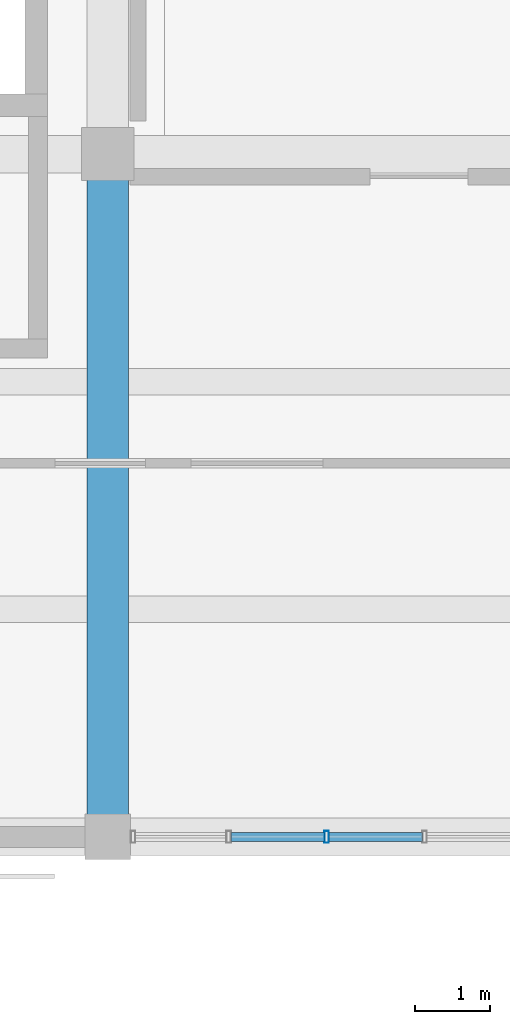
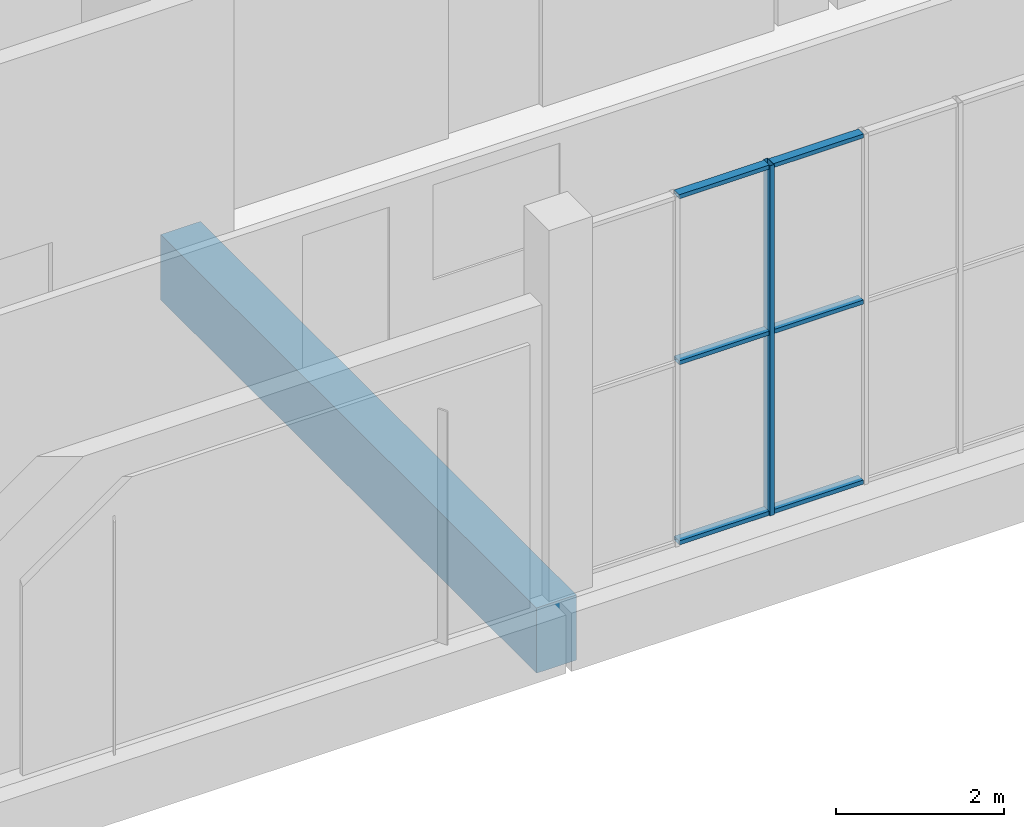
# One storey, part 70 of 132: 7 members, 1 beam, 1 element without a shape of its own.
"""IFC4 building model written with IfcOpenShell, lengths in metres."""

from ifc_helpers import new_model, si_unit, direction, frame, origin, origin_2d, place, context, subcontext, project, spatial, rectangle, hollow_rectangle, extrude, material, material_profile, profile_set, type_object, element, aggregate, save


model = new_model("IFC4")

# Units and contexts
model_context = context("Model", 3, precision=1e-05, world=origin(), true_north=direction((0.0, 1.0)))
body_context = subcontext(model_context, "Body", "Model", "MODEL_VIEW")
ifc_project = project(units=[si_unit("LENGTHUNIT", "METRE"), si_unit("AREAUNIT", "SQUARE_METRE"), si_unit("VOLUMEUNIT", "CUBIC_METRE"), si_unit("PLANEANGLEUNIT", "RADIAN"), si_unit("MASSUNIT", "GRAM", prefix="KILO")], contexts=[model_context])

# Site, building, storey
site_placement = place(None, origin())
site = spatial("IfcSite", under=ifc_project, at=site_placement, CompositionType="ELEMENT")
building_placement = place(site_placement, origin())
building = spatial("IfcBuilding", under=site, at=building_placement, Name="Khurvash Pelagic Aquarium", CompositionType="ELEMENT")
storey_placement = place(building_placement, frame((0.0, 0.0, 5.39990234375)))
storey = spatial("IfcBuildingStorey", under=building, at=storey_placement, Name="L01", CompositionType="ELEMENT", Elevation=5.39990234375)

# Beam
ifc_material_1 = material(Name="Concrete C40/50", Category="concrete")
ifc_material_profile_1 = material_profile(ifc_material_1, rectangle(XDim=0.550048828125, YDim=0.949951171875, at=origin_2d()), Name="RC550X950")
ifc_profile_set_1 = profile_set([ifc_material_profile_1], Name="Concrete C40/50")
beam_type = type_object("IfcBeamType", Name="BM-02", PredefinedType="BEAM", material=ifc_profile_set_1)
beam_placement = place(storey_placement, frame((75.60009765625, 84.090087890625, -0.784912109375), z_axis=(0.0, 1.0, 0.0), x_axis=(-1.0, 0.0, 0.0)))
element("IfcBeam", 1, at=beam_placement, inside=storey, type_object=beam_type, Name="L01 Primary Girder BM-02 00400", PredefinedType="BEAM", context=body_context, shape_type="SweptSolid", body=[
    extrude(rectangle(XDim=0.550048828125, YDim=0.949951171875, at=origin_2d()), origin(), (0.0, 0.0, 1.0), 8.969970703125),
])

# Curtain wall, members
ifc_material_2 = material(Name="Anodised aluminium and low-E laminated glass", Category="aluminium")
curtain_wall_type = type_object("IfcCurtainWallType", Name="CW-05", PredefinedType="USERDEFINED", material=ifc_material_2)
curtain_wall_placement = place(storey_placement, origin())
curtain_wall = element("IfcCurtainWall", 2, at=curtain_wall_placement, inside=storey, type_object=curtain_wall_type, Name="L01 Facade Unitised Curtain Wall CW-05 0138", ObjectType="UNITISED CURTAIN WALL", PredefinedType="USERDEFINED")
ifc_material_3 = material(Name="Extruded aluminium AW-6063-T6", Category="aluminium")
ifc_material_profile_2 = material_profile(ifc_material_3, hollow_rectangle(XDim=0.06005859375, YDim=0.159912109375, WallThickness=0.00390625, at=origin_2d()), Name="CWM60X160X4")
ifc_profile_set_2 = profile_set([ifc_material_profile_2], Name="Extruded aluminium AW-6063-T6")
member_type_1 = type_object("IfcMemberType", Name="CM-02", PredefinedType="MULLION", material=ifc_profile_set_2)
member_1_placement = place(storey_placement, frame((78.501708984375, 84.050048828125, 0.0), z_axis=(0.0, 0.0, 1.0), x_axis=(1.0, 0.0, 0.0)))
member_1 = element("IfcMember", 3, at=member_1_placement, type_object=member_type_1, Name="CW-05 mullion 3", PredefinedType="MULLION", context=body_context, shape_type="SweptSolid", body=[
    extrude(hollow_rectangle(XDim=0.06005859375, YDim=0.159912109375, WallThickness=0.00390625, at=origin_2d()), origin(), (0.0, 0.0, 1.0), 5.10009765625),
])
ifc_material_profile_3 = material_profile(ifc_material_3, hollow_rectangle(XDim=0.1201171875, YDim=0.06005859375, WallThickness=0.00390625, at=origin_2d()), Name="CWT120X60X4")
ifc_profile_set_3 = profile_set([ifc_material_profile_3], Name="Extruded aluminium AW-6063-T6")
member_type_2 = type_object("IfcMemberType", Name="CT-02", PredefinedType="USERDEFINED", material=ifc_profile_set_3)
member_2_placement = place(storey_placement, frame((77.2333984375, 84.050048828125, 0.030029296875), z_axis=(1.0, 0.0, 0.0), x_axis=(0.0, 1.0, 0.0)))
member_2 = element("IfcMember", 4, at=member_2_placement, type_object=member_type_2, Name="CW-05 transom 2.1", ObjectType="TRANSOM", PredefinedType="USERDEFINED", context=body_context, shape_type="SweptSolid", body=[
    extrude(hollow_rectangle(XDim=0.1201171875, YDim=0.06005859375, WallThickness=0.00390625, at=origin_2d()), origin(), (0.0, 0.0, 1.0), 1.23828125),
])
member_3_placement = place(storey_placement, frame((77.2333984375, 84.050048828125, 2.652099609375), z_axis=(1.0, 0.0, 0.0), x_axis=(0.0, 1.0, 0.0)))
member_3 = element("IfcMember", 5, at=member_3_placement, type_object=member_type_2, Name="CW-05 transom 2.2", ObjectType="TRANSOM", PredefinedType="USERDEFINED", context=body_context, shape_type="SweptSolid", body=[
    extrude(hollow_rectangle(XDim=0.1201171875, YDim=0.06005859375, WallThickness=0.00390625, at=origin_2d()), origin(), (0.0, 0.0, 1.0), 1.23828125),
])
member_4_placement = place(storey_placement, frame((77.2333984375, 84.050048828125, 5.070068359375), z_axis=(1.0, 0.0, 0.0), x_axis=(0.0, 1.0, 0.0)))
member_4 = element("IfcMember", 6, at=member_4_placement, type_object=member_type_2, Name="CW-05 transom 2.3", ObjectType="TRANSOM", PredefinedType="USERDEFINED", context=body_context, shape_type="SweptSolid", body=[
    extrude(hollow_rectangle(XDim=0.1201171875, YDim=0.06005859375, WallThickness=0.00390625, at=origin_2d()), origin(), (0.0, 0.0, 1.0), 1.23828125),
])
member_5_placement = place(storey_placement, frame((78.53173828125, 84.050048828125, 0.030029296875), z_axis=(1.0, 0.0, 0.0), x_axis=(0.0, 1.0, 0.0)))
member_5 = element("IfcMember", 7, at=member_5_placement, type_object=member_type_2, Name="CW-05 transom 3.1", ObjectType="TRANSOM", PredefinedType="USERDEFINED", context=body_context, shape_type="SweptSolid", body=[
    extrude(hollow_rectangle(XDim=0.1201171875, YDim=0.06005859375, WallThickness=0.00390625, at=origin_2d()), origin(), (0.0, 0.0, 1.0), 1.23828125),
])
member_6_placement = place(storey_placement, frame((78.53173828125, 84.050048828125, 2.652099609375), z_axis=(1.0, 0.0, 0.0), x_axis=(0.0, 1.0, 0.0)))
member_6 = element("IfcMember", 8, at=member_6_placement, type_object=member_type_2, Name="CW-05 transom 3.2", ObjectType="TRANSOM", PredefinedType="USERDEFINED", context=body_context, shape_type="SweptSolid", body=[
    extrude(hollow_rectangle(XDim=0.1201171875, YDim=0.06005859375, WallThickness=0.00390625, at=origin_2d()), origin(), (0.0, 0.0, 1.0), 1.23828125),
])
member_7_placement = place(storey_placement, frame((78.53173828125, 84.050048828125, 5.070068359375), z_axis=(1.0, 0.0, 0.0), x_axis=(0.0, 1.0, 0.0)))
member_7 = element("IfcMember", 9, at=member_7_placement, type_object=member_type_2, Name="CW-05 transom 3.3", ObjectType="TRANSOM", PredefinedType="USERDEFINED", context=body_context, shape_type="SweptSolid", body=[
    extrude(hollow_rectangle(XDim=0.1201171875, YDim=0.06005859375, WallThickness=0.00390625, at=origin_2d()), origin(), (0.0, 0.0, 1.0), 1.23828125),
])
aggregate(curtain_wall, [member_1, member_2, member_3, member_4, member_5, member_6, member_7])

save(model, "model.ifc")
